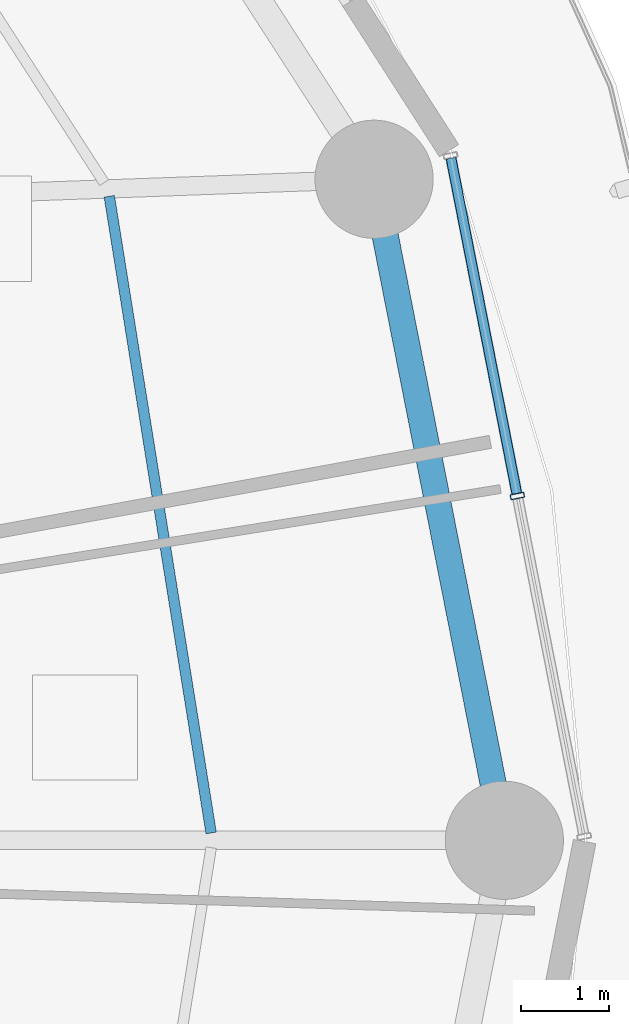
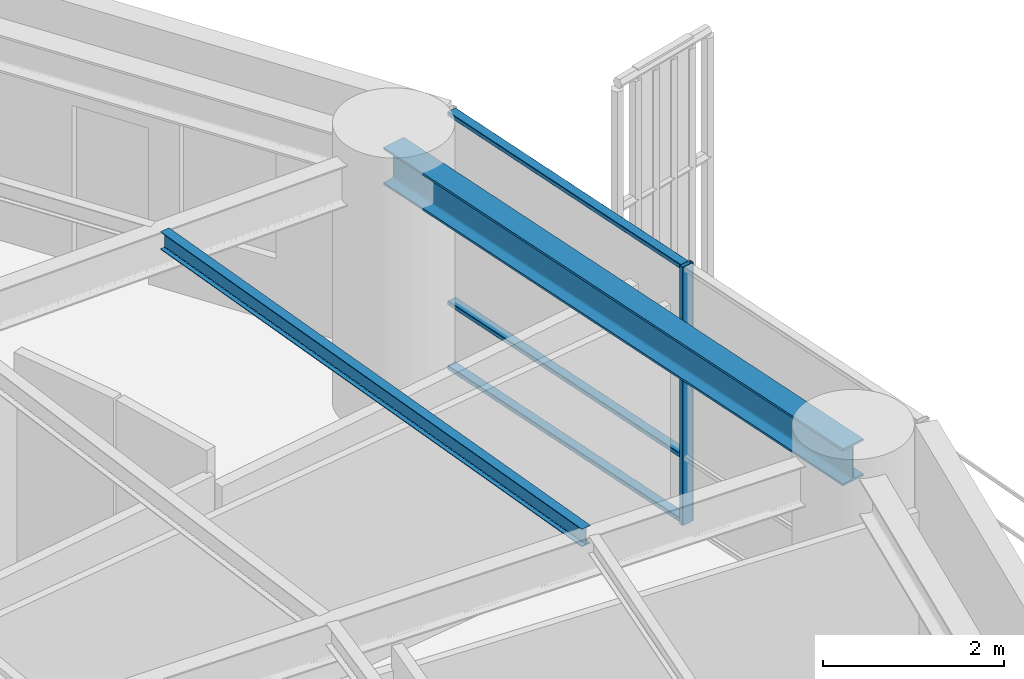
# One storey, part 14 of 34: 4 members, 2 beams, 1 element without a shape of its own.
"""IFC4 building model written with IfcOpenShell, lengths in metres."""

from ifc_helpers import new_model, si_unit, direction, frame, origin, origin_2d, place, context, subcontext, project, spatial, hollow_rectangle, i_section, extrude, material, layer, layer_set, material_profile, profile_set, type_object, element, aggregate, save


model = new_model("IFC4")

# Units and contexts
model_context = context("Model", 3, precision=1e-05, world=origin(), true_north=direction((0.0, 1.0)))
body_context = subcontext(model_context, "Body", "Model", "MODEL_VIEW")
ifc_project = project(units=[si_unit("LENGTHUNIT", "METRE"), si_unit("AREAUNIT", "SQUARE_METRE"), si_unit("VOLUMEUNIT", "CUBIC_METRE"), si_unit("PLANEANGLEUNIT", "RADIAN"), si_unit("MASSUNIT", "GRAM", prefix="KILO")], contexts=[model_context])

# Site, building, storey
site_placement = place(None, origin())
site = spatial("IfcSite", under=ifc_project, at=site_placement, CompositionType="ELEMENT")
building_placement = place(site_placement, origin())
building = spatial("IfcBuilding", under=site, at=building_placement, Name="Kelanora Arch Commons", CompositionType="ELEMENT")
storey_placement = place(building_placement, frame((0.0, 0.0, 76.35009765625)))
storey = spatial("IfcBuildingStorey", under=building, at=storey_placement, Name="L19", CompositionType="ELEMENT", Elevation=76.35009765625)

# Beams
ifc_material_1 = material(Name="Steel S355", Category="steel")
ifc_material_profile_1 = material_profile(ifc_material_1, i_section(OverallWidth=0.1201171875, OverallDepth=0.239990234375, WebThickness=0.006103515625, FlangeThickness=0.009765625, FilletRadius=0.014892578125, at=origin_2d()), Name="IPE240")
ifc_profile_set_1 = profile_set([ifc_material_profile_1], Name="Steel S355")
beam_type_1 = type_object("IfcBeamType", Name="BM-JST-02", PredefinedType="JOIST", material=ifc_profile_set_1)
beam_1_placement = place(storey_placement, frame((95.33056640625, 58.083984375, 3.369873046875), z_axis=(-0.157999549894, 0.987439184068, 0.0), x_axis=(-0.987439184068, -0.157999549894, 0.0)))
element("IfcBeam", 1, at=beam_1_placement, inside=storey, type_object=beam_type_1, Name="Secondary Chord Joist BJC-00 L19", PredefinedType="JOIST", context=body_context, shape_type="SweptSolid", body=[
    extrude(i_section(OverallWidth=0.1201171875, OverallDepth=0.239990234375, WebThickness=0.006103515625, FlangeThickness=0.009765625, FilletRadius=0.014892578125, at=origin_2d()), origin(), (0.0, 0.0, 1.0), 7.365966796875),
])
ifc_material_profile_2 = material_profile(ifc_material_1, i_section(OverallWidth=0.300048828125, OverallDepth=0.5, WebThickness=0.014404296875, FlangeThickness=0.028076171875, FilletRadius=0.027099609375, at=origin_2d()), Name="HEB500")
ifc_profile_set_2 = profile_set([ifc_material_profile_2], Name="Steel S355")
beam_type_2 = type_object("IfcBeamType", Name="BM-SPN-Z2", PredefinedType="SPANDREL", material=ifc_profile_set_2)
beam_2_placement = place(storey_placement, frame((98.679931640625, 58.0, 3.239990234375), z_axis=(-0.19335825777, 0.981128220037, 0.0), x_axis=(-0.981128220037, -0.19335825777, 0.0)))
element("IfcBeam", 2, at=beam_2_placement, inside=storey, type_object=beam_type_2, Name="Perimeter Spandrel Beam BS-00 L19", PredefinedType="SPANDREL", context=body_context, shape_type="SweptSolid", body=[
    extrude(i_section(OverallWidth=0.300048828125, OverallDepth=0.5, WebThickness=0.014404296875, FlangeThickness=0.028076171875, FilletRadius=0.027099609375, at=origin_2d()), origin(), (0.0, 0.0, 1.0), 7.697021484375),
])

# Curtain wall, members
ifc_material_2 = material(Name="Terracotta ceramic-fritted low-E glass and aluminium", Category="masonry")
ifc_layer = layer(ifc_material_2, 0.159912109375)
ifc_layer_set = layer_set([ifc_layer], Name="Terracotta ceramic-fritted low-E glass and aluminium")
curtain_wall_type = type_object("IfcCurtainWallType", Name="CW-SYS-01", PredefinedType="NOTDEFINED", material=ifc_layer_set)
curtain_wall_placement = place(storey_placement, origin())
curtain_wall = element("IfcCurtainWall", 3, at=curtain_wall_placement, inside=storey, type_object=curtain_wall_type, Name="Unitised Curtain Wall L19-B00", PredefinedType="NOTDEFINED")
ifc_material_3 = material(Name="Powder-coated aluminium terracotta", Category="masonry")
ifc_material_profile_3 = material_profile(ifc_material_3, hollow_rectangle(XDim=0.159912109375, YDim=0.06005859375, WallThickness=0.0048828125, InnerFilletRadius=0.0048828125, OuterFilletRadius=0.010009765625, at=origin_2d()), Name="CWM160x60")
ifc_profile_set_3 = profile_set([ifc_material_profile_3], Name="Powder-coated aluminium terracotta")
member_type_1 = type_object("IfcMemberType", Name="CWM-STD", PredefinedType="MULLION", material=ifc_profile_set_3)
member_1_placement = place(storey_placement, frame((98.828125, 61.933349609375, 0.0), z_axis=(0.0, 0.0, 1.0), x_axis=(-0.981280311646, -0.192584916272, 0.0)))
member_1 = element("IfcMember", 4, at=member_1_placement, type_object=member_type_1, Name="CW-01 mullion 2", PredefinedType="MULLION", context=body_context, shape_type="SweptSolid", body=[
    extrude(hollow_rectangle(XDim=0.159912109375, YDim=0.06005859375, WallThickness=0.0048828125, InnerFilletRadius=0.0048828125, OuterFilletRadius=0.010009765625, at=origin_2d()), origin(), (0.0, 0.0, 1.0), 3.474853515625),
])
ifc_material_profile_4 = material_profile(ifc_material_3, hollow_rectangle(XDim=0.1201171875, YDim=0.06005859375, WallThickness=0.0048828125, InnerFilletRadius=0.0048828125, OuterFilletRadius=0.010009765625, at=origin_2d()), Name="CWT120x60")
ifc_profile_set_4 = profile_set([ifc_material_profile_4], Name="Powder-coated aluminium terracotta")
member_type_2 = type_object("IfcMemberType", Name="CWT-STD", PredefinedType="USERDEFINED", material=ifc_profile_set_4)
member_2_placement = place(storey_placement, frame((98.822265625, 61.962646484375, 0.02978515625), z_axis=(-0.192578614785, 0.981281548348, 0.0), x_axis=(-0.981281548348, -0.192578614785, 0.0)))
member_2 = element("IfcMember", 5, at=member_2_placement, type_object=member_type_2, Name="CW-01 transom 2.1", ObjectType="TRANSOM", PredefinedType="USERDEFINED", context=body_context, shape_type="SweptSolid", body=[
    extrude(hollow_rectangle(XDim=0.1201171875, YDim=0.06005859375, WallThickness=0.0048828125, InnerFilletRadius=0.0048828125, OuterFilletRadius=0.010009765625, at=origin_2d()), origin(), (0.0, 0.0, 1.0), 3.9033203125),
])
member_3_placement = place(storey_placement, frame((98.822265625, 61.962646484375, 0.89990234375), z_axis=(-0.192578614785, 0.981281548348, 0.0), x_axis=(-0.981281548348, -0.192578614785, 0.0)))
member_3 = element("IfcMember", 6, at=member_3_placement, type_object=member_type_2, Name="CW-01 transom 2.2", ObjectType="TRANSOM", PredefinedType="USERDEFINED", context=body_context, shape_type="SweptSolid", body=[
    extrude(hollow_rectangle(XDim=0.1201171875, YDim=0.06005859375, WallThickness=0.0048828125, InnerFilletRadius=0.0048828125, OuterFilletRadius=0.010009765625, at=origin_2d()), origin(), (0.0, 0.0, 1.0), 3.9033203125),
])
member_4_placement = place(storey_placement, frame((98.822265625, 61.962646484375, 3.44482421875), z_axis=(-0.192578614785, 0.981281548348, 0.0), x_axis=(-0.981281548348, -0.192578614785, 0.0)))
member_4 = element("IfcMember", 7, at=member_4_placement, type_object=member_type_2, Name="CW-01 transom 2.3", ObjectType="TRANSOM", PredefinedType="USERDEFINED", context=body_context, shape_type="SweptSolid", body=[
    extrude(hollow_rectangle(XDim=0.1201171875, YDim=0.06005859375, WallThickness=0.0048828125, InnerFilletRadius=0.0048828125, OuterFilletRadius=0.010009765625, at=origin_2d()), origin(), (0.0, 0.0, 1.0), 3.9033203125),
])
aggregate(curtain_wall, [member_1, member_2, member_3, member_4])

save(model, "model.ifc")
